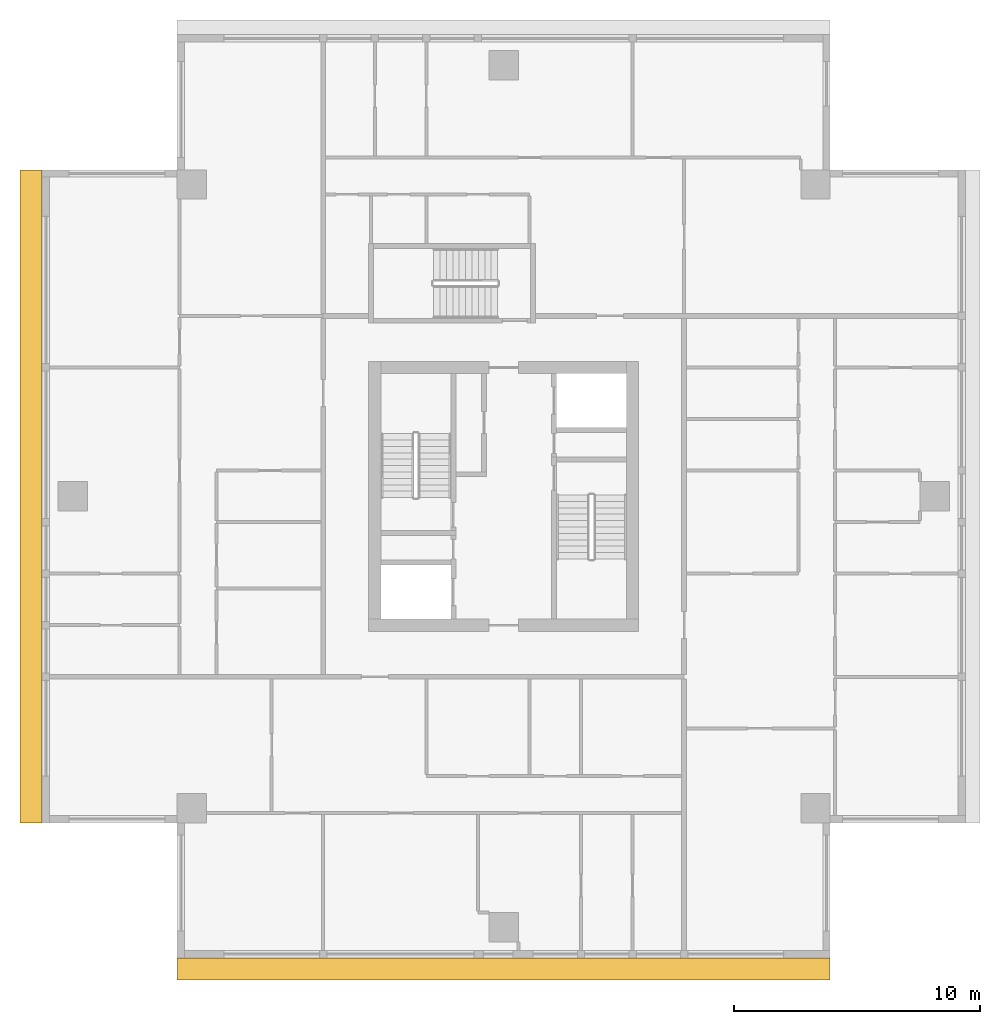
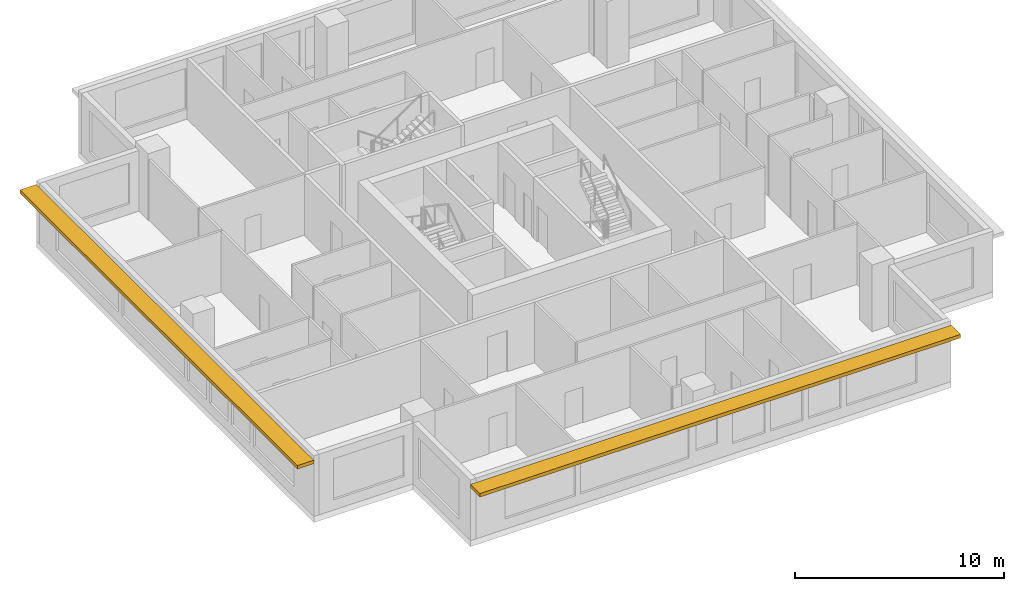
# One storey, part 6 of 8: 2 shading devices.
"""IFC4 building model written with IfcOpenShell, lengths in metres."""

from ifc_helpers import new_model, si_unit, direction, frame, origin, place, context, subcontext, project, spatial, polyline, outline, extrude, material, layer, layer_set, type_object, element, save


model = new_model("IFC4")

# Units and contexts
model_context = context("Model", 3, precision=1e-05, world=origin(), true_north=direction((0.0, 1.0)))
body_context = subcontext(model_context, "Body", "Model", "MODEL_VIEW")
ifc_project = project(units=[si_unit("LENGTHUNIT", "METRE"), si_unit("AREAUNIT", "SQUARE_METRE"), si_unit("VOLUMEUNIT", "CUBIC_METRE"), si_unit("PLANEANGLEUNIT", "RADIAN"), si_unit("MASSUNIT", "GRAM", prefix="KILO")], contexts=[model_context])

# Site, building, storey
site_placement = place(None, origin())
site = spatial("IfcSite", under=ifc_project, at=site_placement, CompositionType="ELEMENT")
building_placement = place(site_placement, origin())
building = spatial("IfcBuilding", under=site, at=building_placement, Name="Khepri Terraces", CompositionType="ELEMENT")
storey_placement = place(building_placement, frame((0.0, 0.0, 304.5)))
storey = spatial("IfcBuildingStorey", under=building, at=storey_placement, Name="L73", CompositionType="ELEMENT", Elevation=304.5)

# Shading devices
ifc_material = material(Name="Precast concrete C50/60 warm stone", Category="masonry")
ifc_layer = layer(ifc_material, 0.199951171875, Name="Precast concrete C50/60 warm stone", Category="masonry")
ifc_layer_set = layer_set([ifc_layer], Name="Precast concrete C50/60 warm stone")
shading_device_type = type_object("IfcShadingDeviceType", Name="SSH-BAND-STONE-200", PredefinedType="USERDEFINED", material=ifc_layer_set)
shading_device_1_placement = place(storey_placement, frame((0.0, 0.0, 3.10009765625)))
element("IfcShadingDevice", 1, at=shading_device_1_placement, inside=storey, type_object=shading_device_type, Name="Sunshade band L73 S", ObjectType="SUNSHADE", PredefinedType="USERDEFINED", context=body_context, shape_type="SweptSolid", body=[
    extrude(outline(polyline([(13.300048828125, -18.800048828125), (-13.300048828125, -18.800048828125), (-13.300048828125, -19.699951171875), (13.300048828125, -19.699951171875), (13.300048828125, -18.800048828125)])), origin(), (0.0, 0.0, 1.0), 0.199951171875),
])
shading_device_2_placement = place(storey_placement, frame((0.0, 0.0, 3.10009765625)))
element("IfcShadingDevice", 2, at=shading_device_2_placement, inside=storey, type_object=shading_device_type, Name="Sunshade band L73 W", ObjectType="SUNSHADE", PredefinedType="USERDEFINED", context=body_context, shape_type="SweptSolid", body=[
    extrude(outline(polyline([(-18.800048828125, -13.300048828125), (-18.800048828125, 13.300048828125), (-19.699951171875, 13.300048828125), (-19.699951171875, -13.300048828125), (-18.800048828125, -13.300048828125)])), origin(), (0.0, 0.0, 1.0), 0.199951171875),
])

save(model, "model.ifc")
